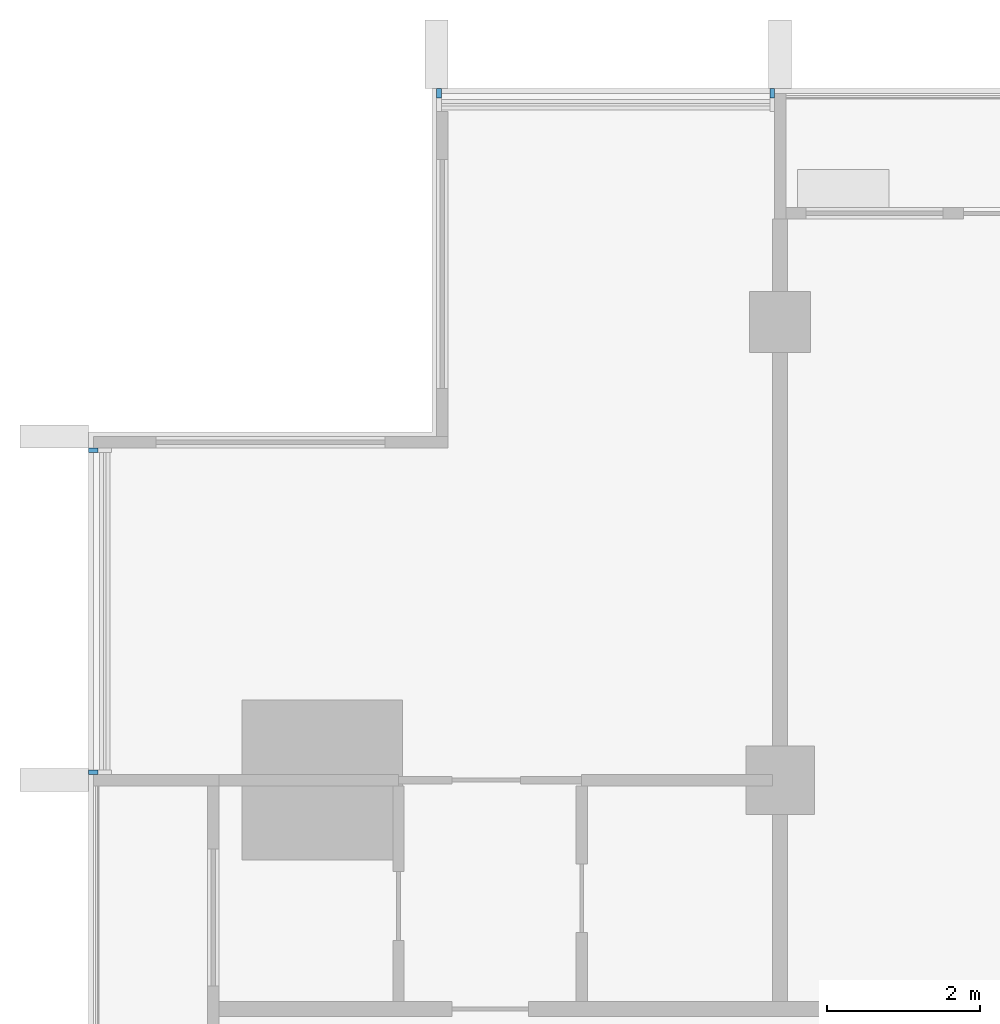
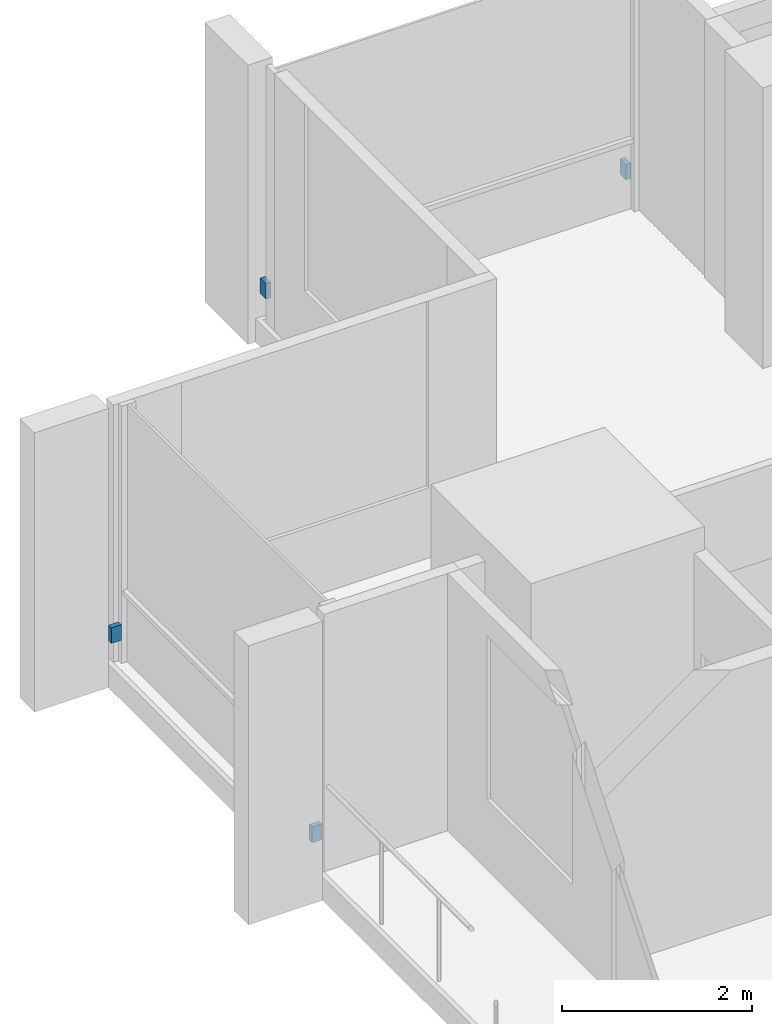
# One storey, part 14 of 16: 4 discrete accessories.
"""IFC4 building model written with IfcOpenShell, lengths in metres."""

from ifc_helpers import new_model, si_unit, direction, frame, origin, origin_2d, place, context, subcontext, project, spatial, rectangle, extrude, material, type_object, element, save


model = new_model("IFC4")

# Units and contexts
model_context = context("Model", 3, precision=1e-05, world=origin(), true_north=direction((0.0, 1.0)))
body_context = subcontext(model_context, "Body", "Model", "MODEL_VIEW")
ifc_project = project(units=[si_unit("LENGTHUNIT", "METRE"), si_unit("AREAUNIT", "SQUARE_METRE"), si_unit("VOLUMEUNIT", "CUBIC_METRE"), si_unit("PLANEANGLEUNIT", "RADIAN"), si_unit("MASSUNIT", "GRAM", prefix="KILO")], contexts=[model_context])

# Site, building, storey
site_placement = place(None, origin())
site = spatial("IfcSite", under=ifc_project, at=site_placement, CompositionType="ELEMENT")
building_placement = place(site_placement, origin())
building = spatial("IfcBuilding", under=site, at=building_placement, Name="Finial Court Residences", CompositionType="ELEMENT")
storey_placement = place(building_placement, frame((0.0, 0.0, 208.699951171875)))
storey = spatial("IfcBuildingStorey", under=building, at=storey_placement, Name="L52", CompositionType="ELEMENT", Elevation=208.699951171875)

# Discrete accessories
ifc_material = material(Name="Stainless steel 316", Category="steel")
discrete_accessory_type = type_object("IfcDiscreteAccessoryType", Name="Fin bracket, stainless steel 60 x 122 x 200", PredefinedType="BRACKET", material=ifc_material)
for number, where, z_axis, x_axis, name in (
    (1, (-14.969970703125, 16.498779296875, 0.30029296875), (0.0, 0.0, 1.0), (1.0, 0.0, 0.0), "E-L52-FIN-N1-BRK"),
    (2, (-10.60498046875, 16.498779296875, 0.30029296875), (0.0, 0.0, 1.0), (1.0, 0.0, 0.0), "E-L52-FIN-N2-BRK"),
):
    element("IfcDiscreteAccessory", number, at=place(storey_placement, frame(where, z_axis=z_axis, x_axis=x_axis)), inside=storey, type_object=discrete_accessory_type, Name=name, PredefinedType="BRACKET", context=body_context, shape_type="SweptSolid", body=[
        extrude(rectangle(XDim=0.06005859375, YDim=0.12255859375, at=origin_2d()), origin(), (0.0, 0.0, 1.0), 0.199951171875),
    ])
for number, where, z_axis, x_axis, name in (
    (3, (-19.498779296875, 7.60498046875, 0.30029296875), (0.0, 0.0, 1.0), (1.0, 0.0, 0.0), "E-L52-FIN-W25-BRK"),
    (4, (-19.498779296875, 11.820068359375, 0.30029296875), (0.0, 0.0, 1.0), (1.0, 0.0, 0.0), "E-L52-FIN-W26-BRK"),
):
    element("IfcDiscreteAccessory", number, at=place(storey_placement, frame(where, z_axis=z_axis, x_axis=x_axis)), inside=storey, type_object=discrete_accessory_type, Name=name, PredefinedType="BRACKET", context=body_context, shape_type="SweptSolid", body=[
        extrude(rectangle(XDim=0.12255859375, YDim=0.06005859375, at=origin_2d()), origin(), (0.0, 0.0, 1.0), 0.199951171875),
    ])

save(model, "model.ifc")
